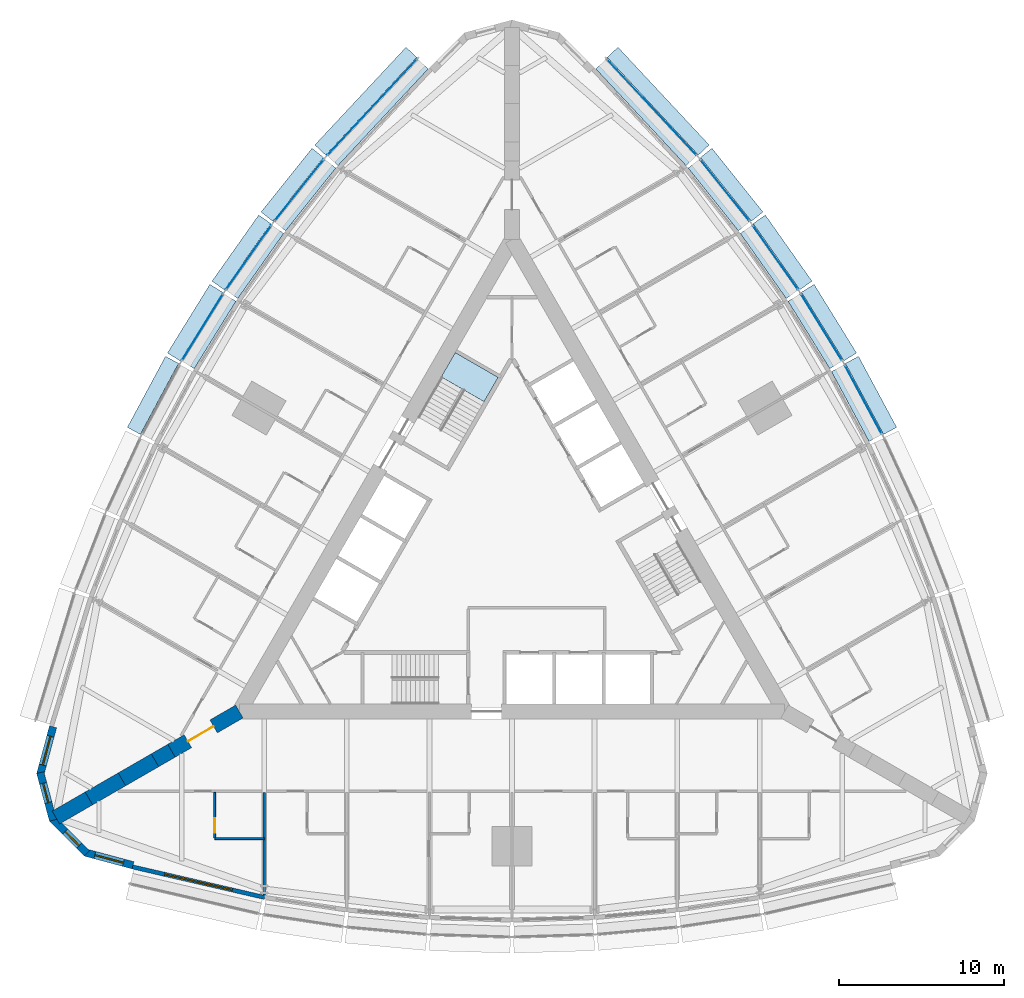
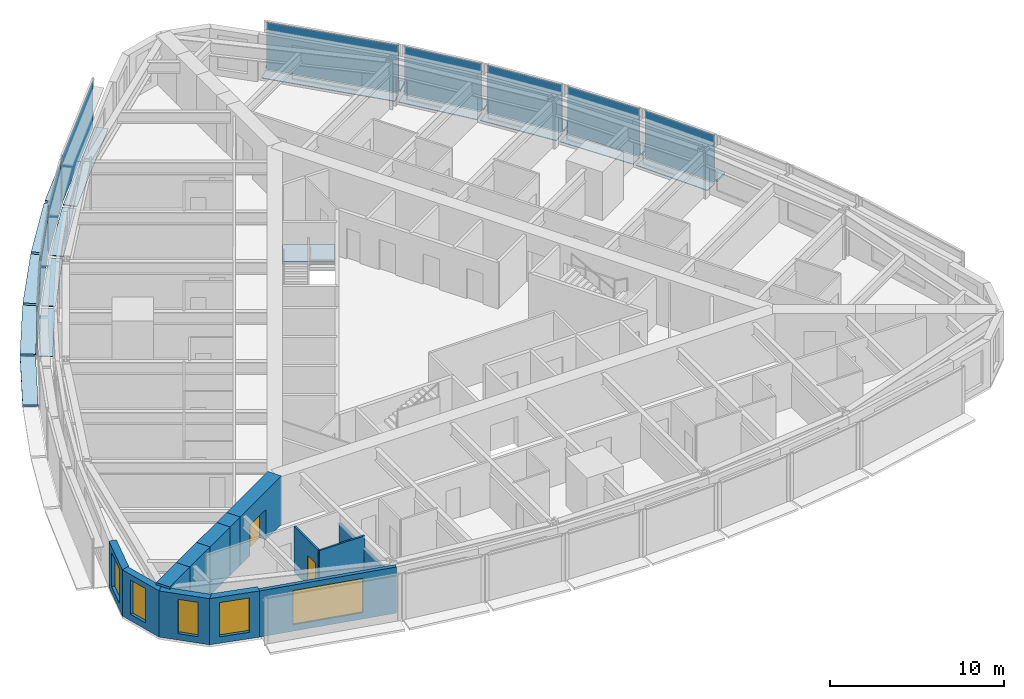
# One storey, part 7 of 14: 28 plates, 13 walls, 5 windows, 2 doors, 1 slab, 7 openings, 10 elements without a shape of their own.
"""IFC4 building model written with IfcOpenShell, lengths in metres."""

import ifcopenshell
import ifcopenshell.guid

model = None  # the IFC model being written
_history = None  # IfcOwnerHistory: only IFC2X3 demands one
_inside = {}  # id of a spatial element -> (the spatial element, [elements in it])
_under = {}  # id of a project, library or spatial element -> (it, [spatial elements below it])
_declared = {}  # id of a project -> (the project, [libraries it declares])
_typed = {}  # id of a type object -> (the type object, [elements of that type])
_made_of = {}  # id of a material, layer set ... -> (it, [elements and type objects made of it])


def new_model(schema):
    """Start an empty IFC model of exactly this schema.

    Asked for "IFC4X3", IfcOpenShell would pick the latest addendum, in which some entities
    have other attributes; the version numbers below select the first issue.
    IFC2X3 requires an IfcOwnerHistory on every rooted entity: one is made here for all.
    """
    global model, _history
    if schema == "IFC4X3":
        model = ifcopenshell.file(schema_version=(4, 3, 0, 0))
    else:
        model = ifcopenshell.file(schema=schema)
    _inside.clear()
    _under.clear()
    _declared.clear()
    _typed.clear()
    _made_of.clear()
    _history = None
    if model.schema == "IFC2X3":
        org = make("IfcOrganization", Name="unknown")
        user = make(
            "IfcPersonAndOrganization",
            ThePerson=make("IfcPerson", FamilyName="unknown"),
            TheOrganization=org,
        )
        app = make(
            "IfcApplication",
            ApplicationDeveloper=org,
            Version="unknown",
            ApplicationFullName="unknown",
            ApplicationIdentifier="unknown",
        )
        _history = make(
            "IfcOwnerHistory",
            OwningUser=user,
            OwningApplication=app,
            ChangeAction="ADDED",
            CreationDate=0,
        )
    return model


def make(cls, **values):
    """One entity of the class cls with the attributes given. An attribute that is None is left unset."""
    return model.create_entity(
        cls, **{name: value for name, value in values.items() if value is not None}
    )


def rooted(cls, **values):
    """An entity with a GlobalId (a new one), such as an element, a storey or a relation."""
    return make(cls, GlobalId=ifcopenshell.guid.new(), OwnerHistory=_history, **values)


def si_unit(unit_type, name, prefix=None):
    """IfcSIUnit, for example si_unit("LENGTHUNIT", "METRE", prefix="MILLI")."""
    return make("IfcSIUnit", UnitType=unit_type, Prefix=prefix, Name=name)


def assignment(units):
    """IfcUnitAssignment: the units of a project."""
    return None if units is None else make("IfcUnitAssignment", Units=units)


def point(xyz):
    """IfcCartesianPoint."""
    return None if xyz is None else make("IfcCartesianPoint", Coordinates=xyz)


def direction(xyz):
    """IfcDirection."""
    return None if xyz is None else make("IfcDirection", DirectionRatios=xyz)


def frame(location, z_axis=None, x_axis=None):
    """IfcAxis2Placement3D, a coordinate frame: its origin and axes. An axis left out is left unset."""
    return make(
        "IfcAxis2Placement3D",
        Location=point(location),
        Axis=direction(z_axis),
        RefDirection=direction(x_axis),
    )


def frame_2d(location, x_axis=None):
    """IfcAxis2Placement2D, a coordinate frame in the plane: its origin and x axis."""
    return make(
        "IfcAxis2Placement2D", Location=point(location), RefDirection=direction(x_axis)
    )


def origin():
    """The frame at (0, 0, 0) with its axes left unset."""
    return frame((0.0, 0.0, 0.0))


def origin_2d():
    """The frame at (0, 0) in the plane with its x axis left unset."""
    return frame_2d((0.0, 0.0))


def place(relative_to, where):
    """IfcLocalPlacement: puts the frame where relative to a parent placement (None: the world)."""
    return make(
        "IfcLocalPlacement", PlacementRelTo=relative_to, RelativePlacement=where
    )


def context(
    kind, dimensions, precision=None, world=None, true_north=None, identifier=None
):
    """IfcGeometricRepresentationContext, for example the 3D "Model" context."""
    return make(
        "IfcGeometricRepresentationContext",
        ContextIdentifier=identifier,
        ContextType=kind,
        CoordinateSpaceDimension=dimensions,
        Precision=precision,
        WorldCoordinateSystem=world,
        TrueNorth=true_north,
    )


def subcontext(parent, identifier, kind, view, scale=None):
    """IfcGeometricRepresentationSubContext, for example "Body" below "Model"."""
    return make(
        "IfcGeometricRepresentationSubContext",
        ContextIdentifier=identifier,
        ContextType=kind,
        ParentContext=parent,
        TargetScale=scale,
        TargetView=view,
    )


def project(units=None, contexts=None):
    """IfcProject with its units and contexts."""
    return rooted(
        "IfcProject",
        Name="project",
        RepresentationContexts=contexts,
        UnitsInContext=assignment(units),
    )


def spatial(cls, under=None, at=None, **own):
    """A site, building, storey or space (cls), placed at a placement, below another one or the project."""
    s = rooted(cls, ObjectPlacement=at, **own)
    if under is not None:
        _under.setdefault(under.id(), (under, []))[1].append(s)
    return s


def polyline(points):
    """IfcPolyline through the points."""
    return make("IfcPolyline", Points=[point(p) for p in points])


def profile(cls, at=None, kind="AREA", **sizes):
    """A parametric profile (cls). Its sizes go by their IFC names, for example OverallWidth=200.0."""
    return make(cls, ProfileType=kind, Position=at, **sizes)


def rectangle(**sizes):
    """IfcRectangleProfileDef."""
    return profile("IfcRectangleProfileDef", **sizes)


def outline(outer, holes=None, kind="AREA"):
    """IfcArbitraryClosedProfileDef: a profile drawn as a closed curve; with holes, ...WithVoids."""
    if holes is None:
        return make("IfcArbitraryClosedProfileDef", ProfileType=kind, OuterCurve=outer)
    return make(
        "IfcArbitraryProfileDefWithVoids",
        ProfileType=kind,
        OuterCurve=outer,
        InnerCurves=holes,
    )


def extrude(swept, where, along, depth):
    """IfcExtrudedAreaSolid: the profile swept, set in the frame where, extruded along a direction by depth."""
    return make(
        "IfcExtrudedAreaSolid",
        SweptArea=swept,
        Position=where,
        ExtrudedDirection=direction(along),
        Depth=depth,
    )


def shape(context_of_items, identifier, shape_type, items):
    """IfcShapeRepresentation: the items that make up one representation, for example the "Body"."""
    return make(
        "IfcShapeRepresentation",
        ContextOfItems=context_of_items,
        RepresentationIdentifier=identifier,
        RepresentationType=shape_type,
        Items=items,
    )


def material(Name=None, Category=None):
    """IfcMaterial."""
    return make("IfcMaterial", Name=Name, Category=Category)


def layer(
    of_material, thickness, ventilated=None, Name=None, Category=None, Priority=None
):
    """IfcMaterialLayer: one layer of a wall or slab, of a material (None: an air gap)."""
    return make(
        "IfcMaterialLayer",
        Material=of_material,
        LayerThickness=thickness,
        IsVentilated=ventilated,
        Name=Name,
        Category=Category,
        Priority=Priority,
    )


def layer_set(layers, Name=None):
    """IfcMaterialLayerSet."""
    return make("IfcMaterialLayerSet", MaterialLayers=layers, LayerSetName=Name)


def made_of(thing, what):
    """Note that an element or type object is made of a material, layer set ...; save() writes the relation."""
    if what is not None:
        _made_of.setdefault(what.id(), (what, []))[1].append(thing)
    return thing


def type_object(cls, material=None, **own):
    """A type object (cls), such as IfcWallType, which elements share."""
    return made_of(rooted(cls, **own), material)


def element(
    cls,
    number,
    at=None,
    inside=None,
    cuts=None,
    type_object=None,
    material=None,
    context=None,
    identifier="Body",
    shape_type=None,
    held_by="IfcProductDefinitionShape",
    body=None,
    shapes=None,
    **own,
):
    """One element of the class cls, such as IfcWall. Its Tag is "e" and its number.

    at: its placement. inside: the storey or other place that contains it. cuts: it is an
    opening in that element (IfcRelVoidsElement). A single representation is given by context,
    identifier, shape_type and body (its items); several are given by shapes. held_by: the class
    of the entity that holds the representations. save() writes the other relations.
    """
    e = rooted(cls, Tag="e%d" % number, ObjectPlacement=at, **own)
    if body is not None:
        shapes = [shape(context, identifier, shape_type, body)]
    if shapes is not None:
        e.Representation = make(held_by, Representations=shapes)
    if inside is not None:
        _inside.setdefault(inside.id(), (inside, []))[1].append(e)
    if cuts is not None:
        rooted(
            "IfcRelVoidsElement", RelatingBuildingElement=cuts, RelatedOpeningElement=e
        )
    if type_object is not None:
        _typed.setdefault(type_object.id(), (type_object, []))[1].append(e)
    return made_of(e, material)


def fill(opening, filler):
    """IfcRelFillsElement: the door or window that sits in an opening."""
    return rooted(
        "IfcRelFillsElement",
        RelatingOpeningElement=opening,
        RelatedBuildingElement=filler,
    )


def aggregate(whole, parts):
    """IfcRelAggregates: a whole, such as a stair, and the parts it consists of."""
    return rooted("IfcRelAggregates", RelatingObject=whole, RelatedObjects=parts)


def save(model, path):
    """Write the relations noted so far, then the file.

    IfcRelAggregates (storeys below a building ...), IfcRelContainedInSpatialStructure (elements
    in a storey), IfcRelDefinesByType, IfcRelAssociatesMaterial and IfcRelDeclares: one each for
    every whole, place, type object, material and project.
    """
    for whole, parts in _under.values():
        aggregate(whole, parts)
    for where, things in _inside.values():
        rooted(
            "IfcRelContainedInSpatialStructure",
            RelatedElements=things,
            RelatingStructure=where,
        )
    for kind, things in _typed.values():
        rooted("IfcRelDefinesByType", RelatedObjects=things, RelatingType=kind)
    for what, things in _made_of.values():
        rooted("IfcRelAssociatesMaterial", RelatedObjects=things, RelatingMaterial=what)
    for by, libraries in _declared.values():
        rooted("IfcRelDeclares", RelatingContext=by, RelatedDefinitions=libraries)
    model.write(path)


model = new_model("IFC4")

# Units and contexts
model_context = context("Model", 3, precision=1e-05, world=origin(), true_north=direction((0.0, 1.0)))
body_context = subcontext(model_context, "Body", "Model", "MODEL_VIEW")
ifc_project = project(units=[si_unit("LENGTHUNIT", "METRE"), si_unit("AREAUNIT", "SQUARE_METRE"), si_unit("VOLUMEUNIT", "CUBIC_METRE"), si_unit("PLANEANGLEUNIT", "RADIAN"), si_unit("MASSUNIT", "GRAM", prefix="KILO")], contexts=[model_context])

# Site, building, storey
site_placement = place(None, origin())
site = spatial("IfcSite", under=ifc_project, at=site_placement, CompositionType="ELEMENT")
building_placement = place(site_placement, origin())
building = spatial("IfcBuilding", under=site, at=building_placement, Name="Trikona Tower", CompositionType="ELEMENT")
storey_placement = place(building_placement, frame((0.0, 0.0, 76.10009765625)))
storey = spatial("IfcBuildingStorey", under=building, at=storey_placement, Name="L19", CompositionType="ELEMENT", Elevation=76.10009765625)

# Plates
ifc_material_1 = material(Name="Aluminium bar grating", Category="aluminium")
ifc_layer_1 = layer(ifc_material_1, 0.050048828125)
ifc_layer_set_1 = layer_set([ifc_layer_1], Name="Cavity catwalk grating")
plate_type_1 = type_object("IfcPlateType", Name="Cavity catwalk grating", PredefinedType="USERDEFINED", material=ifc_layer_set_1)
for number, where, z_axis, x_axis, name in (
    (1, (20.833740234375, 9.127197265625, -0.05029296875), (0.0, 0.0, 1.0), (-0.473422672721, 0.880835383572, 0.0), "Cavity catwalk L19-15"),
    (2, (18.3212890625, 13.47900390625, -0.05029296875), (0.0, 0.0, 1.0), (-0.526118935114, 0.85041099835, 0.0), "Cavity catwalk L19-16"),
):
    element("IfcPlate", number, at=place(storey_placement, frame(where, z_axis=z_axis, x_axis=x_axis)), inside=storey, type_object=plate_type_1, Name=name, ObjectType="CATWALK GRATING", PredefinedType="USERDEFINED", context=body_context, shape_type="SweptSolid", body=[
        extrude(rectangle(XDim=4.80224609375, YDim=0.820068359375, at=origin_2d()), origin(), (0.0, 0.0, 1.0), 0.050048828125),
    ])
plate_1_placement = place(storey_placement, frame((15.544189453125, 17.677734375, -0.05029296875), z_axis=(0.0, 0.0, 1.0), x_axis=(-0.576661909499, 0.816982889743, 0.0)))
element("IfcPlate", 3, at=plate_1_placement, inside=storey, type_object=plate_type_1, Name="Cavity catwalk L19-17", ObjectType="CATWALK GRATING", PredefinedType="USERDEFINED", context=body_context, shape_type="SweptSolid", body=[
    extrude(rectangle(XDim=4.82080078125, YDim=0.820068359375, at=origin_2d()), origin(), (0.0, 0.0, 1.0), 0.050048828125),
])
plate_2_placement = place(storey_placement, frame((12.502197265625, 21.72314453125, -0.05029296875), z_axis=(0.0, 0.0, 1.0), x_axis=(-0.624603618277, 0.780941944087, 0.0)))
element("IfcPlate", 4, at=plate_2_placement, inside=storey, type_object=plate_type_1, Name="Cavity catwalk L19-18", ObjectType="CATWALK GRATING", PredefinedType="USERDEFINED", context=body_context, shape_type="SweptSolid", body=[
    extrude(rectangle(XDim=4.857666015625, YDim=0.820068359375, at=origin_2d()), origin(), (0.0, 0.0, 1.0), 0.050048828125),
])
for number, where, z_axis, x_axis, name in (
    (5, (8.10107421875, 26.72314453125, -0.05029296875), (0.0, 0.0, 1.0), (-0.682298269147, 0.731073916864, 0.0), "Cavity catwalk L19-19"),
    (6, (-8.10107421875, 26.72314453125, -0.05029296875), (0.0, 0.0, 1.0), (-0.682298269147, -0.731073916864, 0.0), "Cavity catwalk L19-24"),
):
    element("IfcPlate", number, at=place(storey_placement, frame(where, z_axis=z_axis, x_axis=x_axis)), inside=storey, type_object=plate_type_1, Name=name, ObjectType="CATWALK GRATING", PredefinedType="USERDEFINED", context=body_context, shape_type="SweptSolid", body=[
        extrude(rectangle(XDim=8.01123046875, YDim=0.820068359375, at=origin_2d()), origin(), (0.0, 0.0, 1.0), 0.050048828125),
    ])
plate_3_placement = place(storey_placement, frame((-12.502197265625, 21.72314453125, -0.05029296875), z_axis=(0.0, 0.0, 1.0), x_axis=(-0.624603618277, -0.780941944087, 0.0)))
element("IfcPlate", 7, at=plate_3_placement, inside=storey, type_object=plate_type_1, Name="Cavity catwalk L19-25", ObjectType="CATWALK GRATING", PredefinedType="USERDEFINED", context=body_context, shape_type="SweptSolid", body=[
    extrude(rectangle(XDim=4.857666015625, YDim=0.820068359375, at=origin_2d()), origin(), (0.0, 0.0, 1.0), 0.050048828125),
])
plate_4_placement = place(storey_placement, frame((-15.544189453125, 17.677734375, -0.05029296875), z_axis=(0.0, 0.0, 1.0), x_axis=(-0.576661909499, -0.816982889743, 0.0)))
element("IfcPlate", 8, at=plate_4_placement, inside=storey, type_object=plate_type_1, Name="Cavity catwalk L19-26", ObjectType="CATWALK GRATING", PredefinedType="USERDEFINED", context=body_context, shape_type="SweptSolid", body=[
    extrude(rectangle(XDim=4.82080078125, YDim=0.820068359375, at=origin_2d()), origin(), (0.0, 0.0, 1.0), 0.050048828125),
])
plate_5_placement = place(storey_placement, frame((-18.3212890625, 13.47900390625, -0.05029296875), z_axis=(0.0, 0.0, 1.0), x_axis=(-0.526118935114, -0.85041099835, 0.0)))
element("IfcPlate", 9, at=plate_5_placement, inside=storey, type_object=plate_type_1, Name="Cavity catwalk L19-27", ObjectType="CATWALK GRATING", PredefinedType="USERDEFINED", context=body_context, shape_type="SweptSolid", body=[
    extrude(rectangle(XDim=4.80224609375, YDim=0.820068359375, at=origin_2d()), origin(), (0.0, 0.0, 1.0), 0.050048828125),
])

# Curtain wall, plate
ifc_material_2 = material(Name="Aluminium curtain wall system", Category="aluminium")
curtain_wall_type = type_object("IfcCurtainWallType", Name="Curtain wall DS1", PredefinedType="NOTDEFINED", material=ifc_material_2)
curtain_wall_1_placement = place(storey_placement, origin())
curtain_wall_1 = element("IfcCurtainWall", 10, at=curtain_wall_1_placement, inside=storey, type_object=curtain_wall_type, Name="Curtain wall DS1 L19", PredefinedType="NOTDEFINED")
ifc_material_3 = material(Name="Laminated clear glass", Category="glass")
ifc_layer_2 = layer(ifc_material_3, 0.028076171875)
ifc_layer_set_2 = layer_set([ifc_layer_2], Name="Glass panel DS1")
plate_type_2 = type_object("IfcPlateType", Name="Glass panel DS1", PredefinedType="CURTAIN_PANEL", material=ifc_layer_set_2)
plate_6_placement = place(storey_placement, frame((21.265380859375, 9.359130859375, 0.0), z_axis=(0.0, 0.0, 1.0), x_axis=(-0.473408350896, 0.880843080975, 0.0)))
plate_6 = element("IfcPlate", 11, at=plate_6_placement, type_object=plate_type_2, Name="CW-DS1 panel 1.1", PredefinedType="CURTAIN_PANEL", context=body_context, shape_type="SweptSolid", body=[
    extrude(rectangle(XDim=4.72216796875, YDim=0.028076171875, at=origin_2d()), origin(), (0.0, 0.0, 1.0), 3.320068359375),
])
aggregate(curtain_wall_1, [plate_6])

curtain_wall_2_placement = place(storey_placement, origin())
curtain_wall_2 = element("IfcCurtainWall", 12, at=curtain_wall_2_placement, inside=storey, type_object=curtain_wall_type, Name="Curtain wall DS1 L19", PredefinedType="NOTDEFINED")
plate_7_placement = place(storey_placement, frame((18.738037109375, 13.73681640625, 0.0), z_axis=(0.0, 0.0, 1.0), x_axis=(-0.526119790842, 0.850410468941, 0.0)))
plate_7 = element("IfcPlate", 13, at=plate_7_placement, type_object=plate_type_2, Name="CW-DS1 panel 1.1", PredefinedType="CURTAIN_PANEL", context=body_context, shape_type="SweptSolid", body=[
    extrude(rectangle(XDim=4.722412109375, YDim=0.028076171875, at=origin_2d()), origin(), (0.0, 0.0, 1.0), 3.320068359375),
])
aggregate(curtain_wall_2, [plate_7])

curtain_wall_3_placement = place(storey_placement, origin())
curtain_wall_3 = element("IfcCurtainWall", 14, at=curtain_wall_3_placement, inside=storey, type_object=curtain_wall_type, Name="Curtain wall DS1 L19", PredefinedType="NOTDEFINED")
plate_8_placement = place(storey_placement, frame((15.9443359375, 17.960205078125, 0.0), z_axis=(0.0, 0.0, 1.0), x_axis=(-0.576658362928, 0.816985393055, 0.0)))
plate_8 = element("IfcPlate", 15, at=plate_8_placement, type_object=plate_type_2, Name="CW-DS1 panel 1.1", PredefinedType="CURTAIN_PANEL", context=body_context, shape_type="SweptSolid", body=[
    extrude(rectangle(XDim=4.74072265625, YDim=0.028076171875, at=origin_2d()), origin(), (0.0, 0.0, 1.0), 3.320068359375),
])
aggregate(curtain_wall_3, [plate_8])

curtain_wall_4_placement = place(storey_placement, origin())
curtain_wall_4 = element("IfcCurtainWall", 16, at=curtain_wall_4_placement, inside=storey, type_object=curtain_wall_type, Name="Curtain wall DS1 L19", PredefinedType="NOTDEFINED")
plate_9_placement = place(storey_placement, frame((12.884765625, 22.029296875, 0.0), z_axis=(0.0, 0.0, 1.0), x_axis=(-0.624608599951, 0.780937959679, 0.0)))
plate_9 = element("IfcPlate", 17, at=plate_9_placement, type_object=plate_type_2, Name="CW-DS1 panel 1.1", PredefinedType="CURTAIN_PANEL", context=body_context, shape_type="SweptSolid", body=[
    extrude(rectangle(XDim=4.777587890625, YDim=0.028076171875, at=origin_2d()), origin(), (0.0, 0.0, 1.0), 3.320068359375),
])
aggregate(curtain_wall_4, [plate_9])

curtain_wall_5_placement = place(storey_placement, origin())
curtain_wall_5 = element("IfcCurtainWall", 18, at=curtain_wall_5_placement, inside=storey, type_object=curtain_wall_type, Name="Curtain wall DS1 L19", PredefinedType="NOTDEFINED")
plate_10_placement = place(storey_placement, frame((8.459228515625, 27.057373046875, 0.0), z_axis=(0.0, 0.0, 1.0), x_axis=(-0.682295351967, 0.731076639405, 0.0)))
plate_10 = element("IfcPlate", 19, at=plate_10_placement, type_object=plate_type_2, Name="CW-DS1 panel 1.1", PredefinedType="CURTAIN_PANEL", context=body_context, shape_type="SweptSolid", body=[
    extrude(rectangle(XDim=7.93115234375, YDim=0.028076171875, at=origin_2d()), origin(), (0.0, 0.0, 1.0), 3.320068359375),
])
aggregate(curtain_wall_5, [plate_10])

curtain_wall_6_placement = place(storey_placement, origin())
curtain_wall_6 = element("IfcCurtainWall", 20, at=curtain_wall_6_placement, inside=storey, type_object=curtain_wall_type, Name="Curtain wall DS1 L19", PredefinedType="NOTDEFINED")
plate_11_placement = place(storey_placement, frame((-8.459228515625, 27.057373046875, 0.0), z_axis=(0.0, 0.0, 1.0), x_axis=(-0.682295351967, -0.731076639405, 0.0)))
plate_11 = element("IfcPlate", 21, at=plate_11_placement, type_object=plate_type_2, Name="CW-DS1 panel 1.1", PredefinedType="CURTAIN_PANEL", context=body_context, shape_type="SweptSolid", body=[
    extrude(rectangle(XDim=7.93115234375, YDim=0.028076171875, at=origin_2d()), origin(), (0.0, 0.0, 1.0), 3.320068359375),
])
aggregate(curtain_wall_6, [plate_11])

curtain_wall_7_placement = place(storey_placement, origin())
curtain_wall_7 = element("IfcCurtainWall", 22, at=curtain_wall_7_placement, inside=storey, type_object=curtain_wall_type, Name="Curtain wall DS1 L19", PredefinedType="NOTDEFINED")
plate_12_placement = place(storey_placement, frame((-12.884765625, 22.029296875, 0.0), z_axis=(0.0, 0.0, 1.0), x_axis=(-0.624608599951, -0.780937959679, 0.0)))
plate_12 = element("IfcPlate", 23, at=plate_12_placement, type_object=plate_type_2, Name="CW-DS1 panel 1.1", PredefinedType="CURTAIN_PANEL", context=body_context, shape_type="SweptSolid", body=[
    extrude(rectangle(XDim=4.777587890625, YDim=0.028076171875, at=origin_2d()), origin(), (0.0, 0.0, 1.0), 3.320068359375),
])
aggregate(curtain_wall_7, [plate_12])

curtain_wall_8_placement = place(storey_placement, origin())
curtain_wall_8 = element("IfcCurtainWall", 24, at=curtain_wall_8_placement, inside=storey, type_object=curtain_wall_type, Name="Curtain wall DS1 L19", PredefinedType="NOTDEFINED")
plate_13_placement = place(storey_placement, frame((-15.9443359375, 17.960205078125, 0.0), z_axis=(0.0, 0.0, 1.0), x_axis=(-0.576658362928, -0.816985393055, 0.0)))
plate_13 = element("IfcPlate", 25, at=plate_13_placement, type_object=plate_type_2, Name="CW-DS1 panel 1.1", PredefinedType="CURTAIN_PANEL", context=body_context, shape_type="SweptSolid", body=[
    extrude(rectangle(XDim=4.74072265625, YDim=0.028076171875, at=origin_2d()), origin(), (0.0, 0.0, 1.0), 3.320068359375),
])
aggregate(curtain_wall_8, [plate_13])

curtain_wall_9_placement = place(storey_placement, origin())
curtain_wall_9 = element("IfcCurtainWall", 26, at=curtain_wall_9_placement, inside=storey, type_object=curtain_wall_type, Name="Curtain wall DS1 L19", PredefinedType="NOTDEFINED")
plate_14_placement = place(storey_placement, frame((-18.738037109375, 13.73681640625, 0.0), z_axis=(0.0, 0.0, 1.0), x_axis=(-0.526119790842, -0.850410468941, 0.0)))
plate_14 = element("IfcPlate", 27, at=plate_14_placement, type_object=plate_type_2, Name="CW-DS1 panel 1.1", PredefinedType="CURTAIN_PANEL", context=body_context, shape_type="SweptSolid", body=[
    extrude(rectangle(XDim=4.722412109375, YDim=0.028076171875, at=origin_2d()), origin(), (0.0, 0.0, 1.0), 3.320068359375),
])
aggregate(curtain_wall_9, [plate_14])

# Plates
ifc_material_4 = material(Name="Aluminium plate fin, pale anodised, on stainless steel outriggers", Category="steel")
ifc_layer_3 = layer(ifc_material_4, 0.14990234375)
ifc_layer_set_3 = layer_set([ifc_layer_3], Name="Outer skin fin 900")
plate_type_3 = type_object("IfcPlateType", Name="Outer skin fin 900", PredefinedType="USERDEFINED", material=ifc_layer_set_3)
for number, where, z_axis, x_axis, name in (
    (28, (21.732421875, 9.610107421875, 0.0), (0.0, 0.0, 1.0), (-0.473422672721, 0.880835383572, 0.0), "Outer skin fin L19-15"),
    (29, (19.188720703125, 14.015625, 0.0), (0.0, 0.0, 1.0), (-0.526118935114, 0.85041099835, 0.0), "Outer skin fin L19-16"),
):
    element("IfcPlate", number, at=place(storey_placement, frame(where, z_axis=z_axis, x_axis=x_axis)), inside=storey, type_object=plate_type_3, Name=name, ObjectType="FIN", PredefinedType="USERDEFINED", context=body_context, shape_type="SweptSolid", body=[
        extrude(rectangle(XDim=4.88232421875, YDim=0.89990234375, at=origin_2d()), origin(), (0.0, 0.0, 1.0), 0.14990234375),
    ])
plate_15_placement = place(storey_placement, frame((16.37744140625, 18.265869140625, 0.0), z_axis=(0.0, 0.0, 1.0), x_axis=(-0.576661909499, 0.816982889743, 0.0)))
element("IfcPlate", 30, at=plate_15_placement, inside=storey, type_object=plate_type_3, Name="Outer skin fin L19-17", ObjectType="FIN", PredefinedType="USERDEFINED", context=body_context, shape_type="SweptSolid", body=[
    extrude(rectangle(XDim=4.90087890625, YDim=0.89990234375, at=origin_2d()), origin(), (0.0, 0.0, 1.0), 0.14990234375),
])
plate_16_placement = place(storey_placement, frame((13.298583984375, 22.360107421875, 0.0), z_axis=(0.0, 0.0, 1.0), x_axis=(-0.624603618277, 0.780941944087, 0.0)))
element("IfcPlate", 31, at=plate_16_placement, inside=storey, type_object=plate_type_3, Name="Outer skin fin L19-18", ObjectType="FIN", PredefinedType="USERDEFINED", context=body_context, shape_type="SweptSolid", body=[
    extrude(rectangle(XDim=4.9375, YDim=0.89990234375, at=origin_2d()), origin(), (0.0, 0.0, 1.0), 0.14990234375),
])
for number, where, z_axis, x_axis, name in (
    (32, (8.8466796875, 27.419189453125, 0.0), (0.0, 0.0, 1.0), (-0.682298269147, 0.731073916864, 0.0), "Outer skin fin L19-19"),
    (33, (-8.8466796875, 27.419189453125, 0.0), (0.0, 0.0, 1.0), (-0.682298269147, -0.731073916864, 0.0), "Outer skin fin L19-24"),
):
    element("IfcPlate", number, at=place(storey_placement, frame(where, z_axis=z_axis, x_axis=x_axis)), inside=storey, type_object=plate_type_3, Name=name, ObjectType="FIN", PredefinedType="USERDEFINED", context=body_context, shape_type="SweptSolid", body=[
        extrude(rectangle(XDim=8.09130859375, YDim=0.89990234375, at=origin_2d()), origin(), (0.0, 0.0, 1.0), 0.14990234375),
    ])
plate_17_placement = place(storey_placement, frame((-13.298583984375, 22.360107421875, 0.0), z_axis=(0.0, 0.0, 1.0), x_axis=(-0.624603618277, -0.780941944087, 0.0)))
element("IfcPlate", 34, at=plate_17_placement, inside=storey, type_object=plate_type_3, Name="Outer skin fin L19-25", ObjectType="FIN", PredefinedType="USERDEFINED", context=body_context, shape_type="SweptSolid", body=[
    extrude(rectangle(XDim=4.9375, YDim=0.89990234375, at=origin_2d()), origin(), (0.0, 0.0, 1.0), 0.14990234375),
])
plate_18_placement = place(storey_placement, frame((-16.37744140625, 18.265869140625, 0.0), z_axis=(0.0, 0.0, 1.0), x_axis=(-0.576661909499, -0.816982889743, 0.0)))
element("IfcPlate", 35, at=plate_18_placement, inside=storey, type_object=plate_type_3, Name="Outer skin fin L19-26", ObjectType="FIN", PredefinedType="USERDEFINED", context=body_context, shape_type="SweptSolid", body=[
    extrude(rectangle(XDim=4.90087890625, YDim=0.89990234375, at=origin_2d()), origin(), (0.0, 0.0, 1.0), 0.14990234375),
])
for number, where, z_axis, x_axis, name in (
    (36, (-19.188720703125, 14.015625, 0.0), (0.0, 0.0, 1.0), (-0.526118935114, -0.85041099835, 0.0), "Outer skin fin L19-27"),
    (37, (-21.732421875, 9.610107421875, 0.0), (0.0, 0.0, 1.0), (-0.473422672721, -0.880835383572, 0.0), "Outer skin fin L19-28"),
):
    element("IfcPlate", number, at=place(storey_placement, frame(where, z_axis=z_axis, x_axis=x_axis)), inside=storey, type_object=plate_type_3, Name=name, ObjectType="FIN", PredefinedType="USERDEFINED", context=body_context, shape_type="SweptSolid", body=[
        extrude(rectangle(XDim=4.88232421875, YDim=0.89990234375, at=origin_2d()), origin(), (0.0, 0.0, 1.0), 0.14990234375),
    ])

# Stair, slab
ifc_material_5 = material(Name="Concrete f'c 5000 psi", Category="concrete")
stair_type = type_object("IfcStairType", Name="Core stair", PredefinedType="HALF_TURN_STAIR", material=ifc_material_5)
stair_placement = place(storey_placement, origin())
stair = element("IfcStair", 38, at=stair_placement, inside=storey, type_object=stair_type, Name="Stair C L19", PredefinedType="HALF_TURN_STAIR")
ifc_material_6 = material(Name="Concrete f'c 5000 psi", Category="concrete")
ifc_layer_4 = layer(ifc_material_6, 0.199951171875)
ifc_layer_set_4 = layer_set([ifc_layer_4], Name="Stair landing 200")
slab_type = type_object("IfcSlabType", Name="Stair landing 200", PredefinedType="LANDING", material=ifc_layer_set_4)
slab_placement = place(storey_placement, frame((0.0, 0.0, 1.5)))
slab = element("IfcSlab", 39, at=slab_placement, type_object=slab_type, Name="ST-C landing 2", PredefinedType="LANDING", context=body_context, shape_type="SweptSolid", body=[
    extrude(outline(polyline([(-0.837158203125, 10.702392578125), (-1.688720703125, 9.2275390625), (-4.286865234375, 10.7275390625), (-3.435302734375, 12.202392578125), (-0.837158203125, 10.702392578125)])), origin(), (0.0, 0.0, 1.0), 0.199951171875),
])
aggregate(stair, [slab])

# Wall
ifc_material_7 = material(Name="Metal stud and cement board", Category="gypsum")
ifc_layer_5 = layer(ifc_material_7, 0.1201171875)
ifc_layer_set_5 = layer_set([ifc_layer_5], Name="Bathroom wall 120")
wall_type_1 = type_object("IfcWallType", Name="Bathroom wall 120", PredefinedType="PLUMBINGWALL", material=ifc_layer_set_5)
wall_1_placement = place(storey_placement, frame((-18.0, -17.226318359375, 0.0), z_axis=(0.0, 0.0, 1.0), x_axis=(1.0, 0.0, 0.0)))
element("IfcWall", 40, at=wall_1_placement, inside=storey, type_object=wall_type_1, Name="Bathroom wall 1901", PredefinedType="PLUMBINGWALL", context=body_context, shape_type="SweptSolid", body=[
    extrude(rectangle(XDim=3.0, YDim=0.1201171875, at=frame_2d((1.5, 0.0))), origin(), (0.0, 0.0, 1.0), 3.23486328125),
])

# Wall, opening, door
wall_2_placement = place(storey_placement, frame((-18.0, -14.42626953125, 0.0), z_axis=(0.0, 0.0, 1.0), x_axis=(0.0, -1.0, 0.0)))
wall_2 = element("IfcWall", 41, at=wall_2_placement, inside=storey, type_object=wall_type_1, Name="Bathroom wall 1901", PredefinedType="PLUMBINGWALL", context=body_context, shape_type="SweptSolid", body=[
    extrude(rectangle(XDim=2.739990234375, YDim=0.1201171875, at=frame_2d((1.3701171875, 0.0))), origin(), (0.0, 0.0, 1.0), 3.23486328125),
])
opening_1_placement = place(wall_2_placement, frame((1.550048828125, 0.0, 0.0)))
opening_1 = element("IfcOpeningElement", 42, at=opening_1_placement, cuts=wall_2, Name="Opening D2", PredefinedType="OPENING", context=body_context, shape_type="SweptSolid", body=[
    extrude(rectangle(XDim=0.89990234375, YDim=2.1298828125, at=frame_2d((0.449951171875, 1.06494140625))), frame((0.0, 0.070068359375, 0.0), z_axis=(0.0, -1.0, 0.0), x_axis=(1.0, 0.0, 0.0)), (0.0, 0.0, 1.0), 0.14013671875),
])
ifc_material_8 = material(Name="Steel door frame with solid-core timber leaf", Category="steel")
door_type_1 = type_object("IfcDoorType", Name="Bathroom door 900x2130", OperationType="SLIDING_TO_LEFT", PredefinedType="DOOR", material=ifc_material_8)
door_1_placement = place(opening_1_placement, origin())
door_1 = element("IfcDoor", 43, at=door_1_placement, inside=storey, type_object=door_type_1, Name="Bathroom door 1901", OperationType="SLIDING_TO_LEFT", OverallHeight=2.1298828125, OverallWidth=0.89990234375, PredefinedType="DOOR", context=body_context, shape_type="SweptSolid", body=[
    extrude(rectangle(XDim=0.89990234375, YDim=2.1298828125, at=frame_2d((0.449951171875, 1.06494140625))), frame((0.0, 0.02490234375, 0.0), z_axis=(0.0, -1.0, 0.0), x_axis=(1.0, 0.0, 0.0)), (0.0, 0.0, 1.0), 0.050048828125),
])
fill(opening_1, door_1)

# Wall, opening, window
ifc_material_9 = material(Name="Brick-faced precast concrete", Category="masonry")
ifc_layer_6 = layer(ifc_material_9, 0.449951171875)
ifc_layer_set_6 = layer_set([ifc_layer_6], Name="Brick-faced corner wall 450")
wall_type_2 = type_object("IfcWallType", Name="Brick-faced corner wall 450", PredefinedType="SOLIDWALL", material=ifc_layer_set_6)
wall_3_placement = place(storey_placement, frame((-27.78271484375, -10.450439453125, 0.0), z_axis=(0.0, 0.0, 1.0), x_axis=(-0.258780998834, -0.965936019953, 0.0)))
wall_3 = element("IfcWall", 44, at=wall_3_placement, inside=storey, type_object=wall_type_2, Name="External wall L19-32", PredefinedType="SOLIDWALL", context=body_context, shape_type="SweptSolid", body=[
    extrude(rectangle(XDim=2.98876953125, YDim=0.449951171875, at=frame_2d((1.494384765625, 0.0))), origin(), (0.0, 0.0, 1.0), 3.23486328125),
])
opening_2_placement = place(wall_3_placement, frame((0.59423828125, 0.0, 0.449951171875)))
opening_2 = element("IfcOpeningElement", 45, at=opening_2_placement, cuts=wall_3, Name="Opening W1824", PredefinedType="OPENING", context=body_context, shape_type="SweptSolid", body=[
    extrude(rectangle(XDim=1.800048828125, YDim=2.39990234375, at=frame_2d((0.89990234375, 1.199951171875))), frame((0.0, 0.23486328125, 0.0), z_axis=(0.0, -1.0, 0.0), x_axis=(1.0, 0.0, 0.0)), (0.0, 0.0, 1.0), 0.469970703125),
])
ifc_material_10 = material(Name="Aluminium-framed double glazing", Category="aluminium")
window_type_1 = type_object("IfcWindowType", Name="Window 1800x2400", PartitioningType="SINGLE_PANEL", PredefinedType="WINDOW", material=ifc_material_10)
window_1_placement = place(opening_2_placement, origin())
window_1 = element("IfcWindow", 46, at=window_1_placement, inside=storey, type_object=window_type_1, Name="Window 1916", OverallHeight=2.39990234375, OverallWidth=1.800048828125, PartitioningType="SINGLE_PANEL", PredefinedType="WINDOW", context=body_context, shape_type="SweptSolid", body=[
    extrude(rectangle(XDim=1.800048828125, YDim=2.39990234375, at=frame_2d((0.89990234375, 1.199951171875))), frame((0.0, 0.030029296875, 0.0), z_axis=(0.0, -1.0, 0.0), x_axis=(1.0, 0.0, 0.0)), (0.0, 0.0, 1.0), 0.06005859375),
])
fill(opening_2, window_1)

wall_4_placement = place(storey_placement, frame((-28.55615234375, -13.220947265625, 0.0), z_axis=(0.0, 0.0, 1.0), x_axis=(0.258801419081, -0.965930548995, 0.0)))
wall_4 = element("IfcWall", 47, at=wall_4_placement, inside=storey, type_object=wall_type_2, Name="External wall L19-33", PredefinedType="SOLIDWALL", context=body_context, shape_type="SweptSolid", body=[
    extrude(outline(polyline([(2.988525390625, 0.22509765625), (2.928955078125, 0.22509765625), (2.437255859375, 0.09326171875), (2.402099609375, 0.22509765625), (0.0, 0.22509765625), (0.0, -0.22509765625), (2.988525390625, -0.22509765625), (2.988525390625, 0.22509765625)])), origin(), (0.0, 0.0, 1.0), 3.23486328125),
])
opening_3_placement = place(wall_4_placement, frame((0.676025390625, 0.0, 0.449951171875)))
opening_3 = element("IfcOpeningElement", 48, at=opening_3_placement, cuts=wall_4, Name="Opening W1224", PredefinedType="OPENING", context=body_context, shape_type="SweptSolid", body=[
    extrude(rectangle(XDim=1.199951171875, YDim=2.39990234375, at=frame_2d((0.60009765625, 1.199951171875))), frame((0.0, 0.23486328125, 0.0), z_axis=(0.0, -1.0, 0.0), x_axis=(1.0, 0.0, 0.0)), (0.0, 0.0, 1.0), 0.469970703125),
])
ifc_material_11 = material(Name="Aluminium-framed double glazing", Category="aluminium")
window_type_2 = type_object("IfcWindowType", Name="Window 1200x2400", PartitioningType="SINGLE_PANEL", PredefinedType="WINDOW", material=ifc_material_11)
window_2_placement = place(opening_3_placement, origin())
window_2 = element("IfcWindow", 49, at=window_2_placement, inside=storey, type_object=window_type_2, Name="Window 1916", OverallHeight=2.39990234375, OverallWidth=1.199951171875, PartitioningType="SINGLE_PANEL", PredefinedType="WINDOW", context=body_context, shape_type="SweptSolid", body=[
    extrude(rectangle(XDim=1.199951171875, YDim=2.39990234375, at=frame_2d((0.60009765625, 1.199951171875))), frame((0.0, 0.030029296875, 0.0), z_axis=(0.0, -1.0, 0.0), x_axis=(1.0, 0.0, 0.0)), (0.0, 0.0, 1.0), 0.06005859375),
])
fill(opening_3, window_2)

wall_5_placement = place(storey_placement, frame((-27.8408203125, -16.006591796875, 0.0), z_axis=(0.0, 0.0, 1.0), x_axis=(0.707025086683, -0.707188466253, 0.0)))
wall_5 = element("IfcWall", 50, at=wall_5_placement, inside=storey, type_object=wall_type_2, Name="External wall L19-34", PredefinedType="SOLIDWALL", context=body_context, shape_type="SweptSolid", body=[
    extrude(outline(polyline([(2.988525390625, 0.22509765625), (0.58642578125, 0.22509765625), (0.551025390625, 0.093017578125), (0.058837890625, 0.22509765625), (0.0, 0.22509765625), (0.0, -0.22509765625), (2.988525390625, -0.22509765625), (2.988525390625, 0.22509765625)])), origin(), (0.0, 0.0, 1.0), 3.23486328125),
])
opening_4_placement = place(wall_5_placement, frame((1.112548828125, 0.0, 0.449951171875)))
opening_4 = element("IfcOpeningElement", 51, at=opening_4_placement, cuts=wall_5, Name="Opening W1224", PredefinedType="OPENING", context=body_context, shape_type="SweptSolid", body=[
    extrude(rectangle(XDim=1.199951171875, YDim=2.39990234375, at=frame_2d((0.60009765625, 1.199951171875))), frame((0.0, 0.23486328125, 0.0), z_axis=(0.0, -1.0, 0.0), x_axis=(1.0, 0.0, 0.0)), (0.0, 0.0, 1.0), 0.469970703125),
])
window_3_placement = place(opening_4_placement, origin())
window_3 = element("IfcWindow", 52, at=window_3_placement, inside=storey, type_object=window_type_2, Name="Window 1901", OverallHeight=2.39990234375, OverallWidth=1.199951171875, PartitioningType="SINGLE_PANEL", PredefinedType="WINDOW", context=body_context, shape_type="SweptSolid", body=[
    extrude(rectangle(XDim=1.199951171875, YDim=2.39990234375, at=frame_2d((0.60009765625, 1.199951171875))), frame((0.0, 0.030029296875, 0.0), z_axis=(0.0, -1.0, 0.0), x_axis=(1.0, 0.0, 0.0)), (0.0, 0.0, 1.0), 0.06005859375),
])
fill(opening_4, window_3)

wall_6_placement = place(storey_placement, frame((-25.82861328125, -18.061767578125, 0.0), z_axis=(0.0, 0.0, 1.0), x_axis=(0.965930548995, -0.258801419081, 0.0)))
wall_6 = element("IfcWall", 53, at=wall_6_placement, inside=storey, type_object=wall_type_2, Name="External wall L19-35", PredefinedType="SOLIDWALL", context=body_context, shape_type="SweptSolid", body=[
    extrude(rectangle(XDim=2.988525390625, YDim=0.449951171875, at=frame_2d((1.494140625, 0.0))), origin(), (0.0, 0.0, 1.0), 3.23486328125),
])
opening_5_placement = place(wall_6_placement, frame((0.59423828125, 0.0, 0.449951171875)))
opening_5 = element("IfcOpeningElement", 54, at=opening_5_placement, cuts=wall_6, Name="Opening W1824", PredefinedType="OPENING", context=body_context, shape_type="SweptSolid", body=[
    extrude(rectangle(XDim=1.800048828125, YDim=2.39990234375, at=frame_2d((0.89990234375, 1.199951171875))), frame((0.0, 0.23486328125, 0.0), z_axis=(0.0, -1.0, 0.0), x_axis=(1.0, 0.0, 0.0)), (0.0, 0.0, 1.0), 0.469970703125),
])
window_4_placement = place(opening_5_placement, origin())
window_4 = element("IfcWindow", 55, at=window_4_placement, inside=storey, type_object=window_type_1, Name="Window 1901", OverallHeight=2.39990234375, OverallWidth=1.800048828125, PartitioningType="SINGLE_PANEL", PredefinedType="WINDOW", context=body_context, shape_type="SweptSolid", body=[
    extrude(rectangle(XDim=1.800048828125, YDim=2.39990234375, at=frame_2d((0.89990234375, 1.199951171875))), frame((0.0, 0.030029296875, 0.0), z_axis=(0.0, -1.0, 0.0), x_axis=(1.0, 0.0, 0.0)), (0.0, 0.0, 1.0), 0.06005859375),
])
fill(opening_5, window_4)

# Wall, opening, door
ifc_material_12 = material(Name="Concrete f'c 10000 psi", Category="concrete")
ifc_layer_7 = layer(ifc_material_12, 0.89990234375)
ifc_layer_set_7 = layer_set([ifc_layer_7], Name="Buttress wall 900")
wall_type_3 = type_object("IfcWallType", Name="Buttress wall 900", PredefinedType="SHEAR", material=ifc_layer_set_7)
wall_7_placement = place(storey_placement, frame((-16.5, -9.5263671875, 0.0), z_axis=(0.0, 0.0, 1.0), x_axis=(-0.866031398331, -0.499989616998, 0.0)))
wall_7 = element("IfcWall", 56, at=wall_7_placement, inside=storey, type_object=wall_type_3, Name="Buttress wall 3", PredefinedType="SHEAR", context=body_context, shape_type="SweptSolid", body=[
    extrude(rectangle(XDim=4.74609375, YDim=0.89990234375, at=frame_2d((2.373046875, 0.0))), origin(), (0.0, 0.0, 1.0), 3.39990234375),
])
opening_6_placement = place(wall_7_placement, frame((1.800048828125, 0.0, 0.0)))
opening_6 = element("IfcOpeningElement", 57, at=opening_6_placement, cuts=wall_7, Name="Opening D10", PredefinedType="OPENING", context=body_context, shape_type="SweptSolid", body=[
    extrude(rectangle(XDim=1.800048828125, YDim=2.1298828125, at=frame_2d((0.89990234375, 1.06494140625))), frame((0.0, 0.4599609375, 0.0), z_axis=(0.0, -1.0, 0.0), x_axis=(1.0, 0.0, 0.0)), (0.0, 0.0, 1.0), 0.919921875),
])
ifc_material_13 = material(Name="Hollow metal door and frame", Category="steel")
door_type_2 = type_object("IfcDoorType", Name="Cross-corridor door pair 1800x2130", OperationType="DOUBLE_DOOR_DOUBLE_SWING", PredefinedType="DOOR", material=ifc_material_13)
door_2_placement = place(opening_6_placement, origin())
door_2 = element("IfcDoor", 58, at=door_2_placement, inside=storey, type_object=door_type_2, Name="Cross-corridor door 3", OperationType="DOUBLE_DOOR_DOUBLE_SWING", OverallHeight=2.1298828125, OverallWidth=1.800048828125, PredefinedType="DOOR", context=body_context, shape_type="SweptSolid", body=[
    extrude(rectangle(XDim=1.800048828125, YDim=2.1298828125, at=frame_2d((0.89990234375, 1.06494140625))), frame((0.0, 0.02490234375, 0.0), z_axis=(0.0, -1.0, 0.0), x_axis=(1.0, 0.0, 0.0)), (0.0, 0.0, 1.0), 0.050048828125),
])
fill(opening_6, door_2)

# Walls
wall_8_placement = place(storey_placement, frame((-20.6103515625, -11.8994140625, 0.0), z_axis=(0.0, 0.0, 1.0), x_axis=(-0.866009537788, -0.500027479704, 0.0)))
element("IfcWall", 59, at=wall_8_placement, inside=storey, type_object=wall_type_3, Name="Buttress wall 3 part 2", PredefinedType="SHEAR", context=body_context, shape_type="SweptSolid", body=[
    extrude(rectangle(XDim=1.15478515625, YDim=0.89990234375, at=frame_2d((0.577392578125, 0.0))), origin(), (0.0, 0.0, 1.0), 3.39990234375),
])
for number, where, z_axis, x_axis, name in (
    (60, (-21.6103515625, -12.476806640625, 0.0), (0.0, 0.0, 1.0), (-0.866055313784, -0.499948190782, 0.0), "Buttress wall 3 part 3"),
    (61, (-23.6103515625, -13.63134765625, 0.0), (0.0, 0.0, 1.0), (-0.866009537788, -0.500027479704, 0.0), "Buttress wall 3 part 4"),
    (62, (-25.6103515625, -14.7861328125, 0.0), (0.0, 0.0, 1.0), (-0.866009537788, -0.500027479704, 0.0), "Buttress wall 3 part 5"),
):
    element("IfcWall", number, at=place(storey_placement, frame(where, z_axis=z_axis, x_axis=x_axis)), inside=storey, type_object=wall_type_3, Name=name, PredefinedType="SHEAR", context=body_context, shape_type="SweptSolid", body=[
        extrude(rectangle(XDim=2.309326171875, YDim=0.89990234375, at=frame_2d((1.15478515625, 0.0))), origin(), (0.0, 0.0, 1.0), 3.39990234375),
    ])

# Wall, opening, window
ifc_material_14 = material(Name="Insulated precast concrete spandrel panel", Category="concrete")
ifc_layer_8 = layer(ifc_material_14, 0.25)
ifc_layer_set_8 = layer_set([ifc_layer_8], Name="Inner skin wall 250")
wall_type_4 = type_object("IfcWallType", Name="Inner skin wall 250", PredefinedType="STANDARD", material=ifc_layer_set_8)
wall_9_placement = place(storey_placement, frame((-22.9716796875, -18.930908203125, 0.0), z_axis=(0.0, 0.0, 1.0), x_axis=(0.974279327392, -0.225343720163, 0.0)))
wall_9 = element("IfcWall", 63, at=wall_9_placement, inside=storey, type_object=wall_type_4, Name="External wall L19-00", PredefinedType="STANDARD", context=body_context, shape_type="SweptSolid", body=[
    extrude(rectangle(XDim=8.211181640625, YDim=0.25, at=frame_2d((4.10546875, 0.0))), origin(), (0.0, 0.0, 1.0), 3.23486328125),
])
opening_7_placement = place(wall_9_placement, frame((2.005615234375, 0.0, 0.449951171875)))
opening_7 = element("IfcOpeningElement", 64, at=opening_7_placement, cuts=wall_9, Name="Opening W4224", PredefinedType="OPENING", context=body_context, shape_type="SweptSolid", body=[
    extrude(rectangle(XDim=4.199951171875, YDim=2.39990234375, at=frame_2d((2.10009765625, 1.199951171875))), frame((0.0, 0.135009765625, 0.0), z_axis=(0.0, -1.0, 0.0), x_axis=(1.0, 0.0, 0.0)), (0.0, 0.0, 1.0), 0.27001953125),
])
ifc_material_15 = material(Name="Aluminium-framed double glazing", Category="aluminium")
window_type_3 = type_object("IfcWindowType", Name="Window 4200x2400", PartitioningType="SINGLE_PANEL", PredefinedType="WINDOW", material=ifc_material_15)
window_5_placement = place(opening_7_placement, origin())
window_5 = element("IfcWindow", 65, at=window_5_placement, inside=storey, type_object=window_type_3, Name="Window 1901", OverallHeight=2.39990234375, OverallWidth=4.199951171875, PartitioningType="SINGLE_PANEL", PredefinedType="WINDOW", context=body_context, shape_type="SweptSolid", body=[
    extrude(rectangle(XDim=4.199951171875, YDim=2.39990234375, at=frame_2d((2.10009765625, 1.199951171875))), frame((0.0, 0.030029296875, 0.0), z_axis=(0.0, -1.0, 0.0), x_axis=(1.0, 0.0, 0.0)), (0.0, 0.0, 1.0), 0.06005859375),
])
fill(opening_7, window_5)

# Wall
ifc_material_16 = material(Name="Metal stud and gypsum board, 1-hour acoustic", Category="gypsum")
ifc_layer_9 = layer(ifc_material_16, 0.14990234375)
ifc_layer_set_9 = layer_set([ifc_layer_9], Name="Party wall 150")
wall_type_5 = type_object("IfcWallType", Name="Party wall 150", PredefinedType="PARTITIONING", material=ifc_layer_set_9)
wall_10_placement = place(storey_placement, frame((-15.0, -14.42626953125, 0.0), z_axis=(0.0, 0.0, 1.0), x_axis=(0.0, -1.0, 0.0)))
element("IfcWall", 66, at=wall_10_placement, inside=storey, type_object=wall_type_5, Name="Partition L19 F1 u-15", PredefinedType="PARTITIONING", context=body_context, shape_type="SweptSolid", body=[
    extrude(rectangle(XDim=6.22021484375, YDim=0.14990234375, at=frame_2d((3.110107421875, 0.0))), origin(), (0.0, 0.0, 1.0), 2.38916015625),
])

save(model, "model.ifc")
